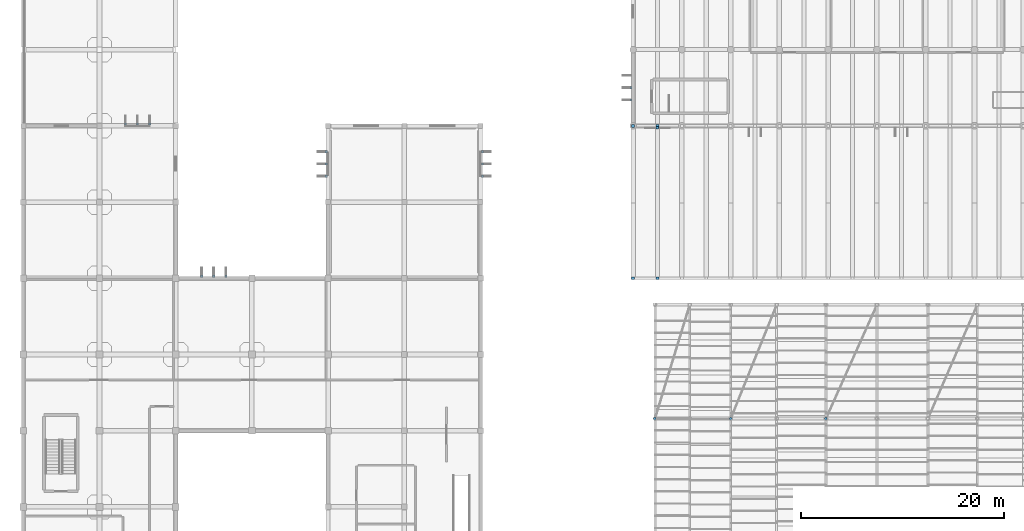
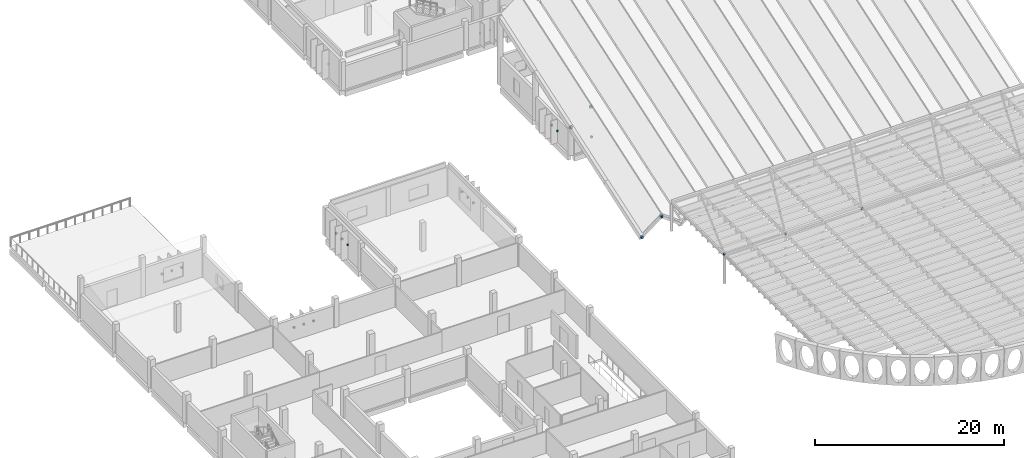
# One storey, part 34 of 47: 22 discrete accessories.
"""IFC4 building model written with IfcOpenShell, lengths in metres."""

import ifcopenshell
import ifcopenshell.guid

model = None  # the IFC model being written
_history = None  # IfcOwnerHistory: only IFC2X3 demands one
_inside = {}  # id of a spatial element -> (the spatial element, [elements in it])
_under = {}  # id of a project, library or spatial element -> (it, [spatial elements below it])
_declared = {}  # id of a project -> (the project, [libraries it declares])
_typed = {}  # id of a type object -> (the type object, [elements of that type])
_made_of = {}  # id of a material, layer set ... -> (it, [elements and type objects made of it])


def new_model(schema):
    """Start an empty IFC model of exactly this schema.

    Asked for "IFC4X3", IfcOpenShell would pick the latest addendum, in which some entities
    have other attributes; the version numbers below select the first issue.
    IFC2X3 requires an IfcOwnerHistory on every rooted entity: one is made here for all.
    """
    global model, _history
    if schema == "IFC4X3":
        model = ifcopenshell.file(schema_version=(4, 3, 0, 0))
    else:
        model = ifcopenshell.file(schema=schema)
    _inside.clear()
    _under.clear()
    _declared.clear()
    _typed.clear()
    _made_of.clear()
    _history = None
    if model.schema == "IFC2X3":
        org = make("IfcOrganization", Name="unknown")
        user = make(
            "IfcPersonAndOrganization",
            ThePerson=make("IfcPerson", FamilyName="unknown"),
            TheOrganization=org,
        )
        app = make(
            "IfcApplication",
            ApplicationDeveloper=org,
            Version="unknown",
            ApplicationFullName="unknown",
            ApplicationIdentifier="unknown",
        )
        _history = make(
            "IfcOwnerHistory",
            OwningUser=user,
            OwningApplication=app,
            ChangeAction="ADDED",
            CreationDate=0,
        )
    return model


def make(cls, **values):
    """One entity of the class cls with the attributes given. An attribute that is None is left unset."""
    return model.create_entity(
        cls, **{name: value for name, value in values.items() if value is not None}
    )


def rooted(cls, **values):
    """An entity with a GlobalId (a new one), such as an element, a storey or a relation."""
    return make(cls, GlobalId=ifcopenshell.guid.new(), OwnerHistory=_history, **values)


def si_unit(unit_type, name, prefix=None):
    """IfcSIUnit, for example si_unit("LENGTHUNIT", "METRE", prefix="MILLI")."""
    return make("IfcSIUnit", UnitType=unit_type, Prefix=prefix, Name=name)


def assignment(units):
    """IfcUnitAssignment: the units of a project."""
    return None if units is None else make("IfcUnitAssignment", Units=units)


def point(xyz):
    """IfcCartesianPoint."""
    return None if xyz is None else make("IfcCartesianPoint", Coordinates=xyz)


def direction(xyz):
    """IfcDirection."""
    return None if xyz is None else make("IfcDirection", DirectionRatios=xyz)


def frame(location, z_axis=None, x_axis=None):
    """IfcAxis2Placement3D, a coordinate frame: its origin and axes. An axis left out is left unset."""
    return make(
        "IfcAxis2Placement3D",
        Location=point(location),
        Axis=direction(z_axis),
        RefDirection=direction(x_axis),
    )


def frame_2d(location, x_axis=None):
    """IfcAxis2Placement2D, a coordinate frame in the plane: its origin and x axis."""
    return make(
        "IfcAxis2Placement2D", Location=point(location), RefDirection=direction(x_axis)
    )


def origin():
    """The frame at (0, 0, 0) with its axes left unset."""
    return frame((0.0, 0.0, 0.0))


def origin_2d():
    """The frame at (0, 0) in the plane with its x axis left unset."""
    return frame_2d((0.0, 0.0))


def place(relative_to, where):
    """IfcLocalPlacement: puts the frame where relative to a parent placement (None: the world)."""
    return make(
        "IfcLocalPlacement", PlacementRelTo=relative_to, RelativePlacement=where
    )


def context(
    kind, dimensions, precision=None, world=None, true_north=None, identifier=None
):
    """IfcGeometricRepresentationContext, for example the 3D "Model" context."""
    return make(
        "IfcGeometricRepresentationContext",
        ContextIdentifier=identifier,
        ContextType=kind,
        CoordinateSpaceDimension=dimensions,
        Precision=precision,
        WorldCoordinateSystem=world,
        TrueNorth=true_north,
    )


def subcontext(parent, identifier, kind, view, scale=None):
    """IfcGeometricRepresentationSubContext, for example "Body" below "Model"."""
    return make(
        "IfcGeometricRepresentationSubContext",
        ContextIdentifier=identifier,
        ContextType=kind,
        ParentContext=parent,
        TargetScale=scale,
        TargetView=view,
    )


def project(units=None, contexts=None):
    """IfcProject with its units and contexts."""
    return rooted(
        "IfcProject",
        Name="project",
        RepresentationContexts=contexts,
        UnitsInContext=assignment(units),
    )


def spatial(cls, under=None, at=None, **own):
    """A site, building, storey or space (cls), placed at a placement, below another one or the project."""
    s = rooted(cls, ObjectPlacement=at, **own)
    if under is not None:
        _under.setdefault(under.id(), (under, []))[1].append(s)
    return s


def profile(cls, at=None, kind="AREA", **sizes):
    """A parametric profile (cls). Its sizes go by their IFC names, for example OverallWidth=200.0."""
    return make(cls, ProfileType=kind, Position=at, **sizes)


def rectangle(**sizes):
    """IfcRectangleProfileDef."""
    return profile("IfcRectangleProfileDef", **sizes)


def extrude(swept, where, along, depth):
    """IfcExtrudedAreaSolid: the profile swept, set in the frame where, extruded along a direction by depth."""
    return make(
        "IfcExtrudedAreaSolid",
        SweptArea=swept,
        Position=where,
        ExtrudedDirection=direction(along),
        Depth=depth,
    )


def shape(context_of_items, identifier, shape_type, items):
    """IfcShapeRepresentation: the items that make up one representation, for example the "Body"."""
    return make(
        "IfcShapeRepresentation",
        ContextOfItems=context_of_items,
        RepresentationIdentifier=identifier,
        RepresentationType=shape_type,
        Items=items,
    )


def material(Name=None, Category=None):
    """IfcMaterial."""
    return make("IfcMaterial", Name=Name, Category=Category)


def layer(
    of_material, thickness, ventilated=None, Name=None, Category=None, Priority=None
):
    """IfcMaterialLayer: one layer of a wall or slab, of a material (None: an air gap)."""
    return make(
        "IfcMaterialLayer",
        Material=of_material,
        LayerThickness=thickness,
        IsVentilated=ventilated,
        Name=Name,
        Category=Category,
        Priority=Priority,
    )


def layer_set(layers, Name=None):
    """IfcMaterialLayerSet."""
    return make("IfcMaterialLayerSet", MaterialLayers=layers, LayerSetName=Name)


def made_of(thing, what):
    """Note that an element or type object is made of a material, layer set ...; save() writes the relation."""
    if what is not None:
        _made_of.setdefault(what.id(), (what, []))[1].append(thing)
    return thing


def type_object(cls, material=None, **own):
    """A type object (cls), such as IfcWallType, which elements share."""
    return made_of(rooted(cls, **own), material)


def element(
    cls,
    number,
    at=None,
    inside=None,
    cuts=None,
    type_object=None,
    material=None,
    context=None,
    identifier="Body",
    shape_type=None,
    held_by="IfcProductDefinitionShape",
    body=None,
    shapes=None,
    **own,
):
    """One element of the class cls, such as IfcWall. Its Tag is "e" and its number.

    at: its placement. inside: the storey or other place that contains it. cuts: it is an
    opening in that element (IfcRelVoidsElement). A single representation is given by context,
    identifier, shape_type and body (its items); several are given by shapes. held_by: the class
    of the entity that holds the representations. save() writes the other relations.
    """
    e = rooted(cls, Tag="e%d" % number, ObjectPlacement=at, **own)
    if body is not None:
        shapes = [shape(context, identifier, shape_type, body)]
    if shapes is not None:
        e.Representation = make(held_by, Representations=shapes)
    if inside is not None:
        _inside.setdefault(inside.id(), (inside, []))[1].append(e)
    if cuts is not None:
        rooted(
            "IfcRelVoidsElement", RelatingBuildingElement=cuts, RelatedOpeningElement=e
        )
    if type_object is not None:
        _typed.setdefault(type_object.id(), (type_object, []))[1].append(e)
    return made_of(e, material)


def aggregate(whole, parts):
    """IfcRelAggregates: a whole, such as a stair, and the parts it consists of."""
    return rooted("IfcRelAggregates", RelatingObject=whole, RelatedObjects=parts)


def save(model, path):
    """Write the relations noted so far, then the file.

    IfcRelAggregates (storeys below a building ...), IfcRelContainedInSpatialStructure (elements
    in a storey), IfcRelDefinesByType, IfcRelAssociatesMaterial and IfcRelDeclares: one each for
    every whole, place, type object, material and project.
    """
    for whole, parts in _under.values():
        aggregate(whole, parts)
    for where, things in _inside.values():
        rooted(
            "IfcRelContainedInSpatialStructure",
            RelatedElements=things,
            RelatingStructure=where,
        )
    for kind, things in _typed.values():
        rooted("IfcRelDefinesByType", RelatedObjects=things, RelatingType=kind)
    for what, things in _made_of.values():
        rooted("IfcRelAssociatesMaterial", RelatedObjects=things, RelatingMaterial=what)
    for by, libraries in _declared.values():
        rooted("IfcRelDeclares", RelatingContext=by, RelatedDefinitions=libraries)
    model.write(path)


model = new_model("IFC4")

# Units and contexts
model_context = context("Model", 3, precision=1e-05, world=origin(), true_north=direction((0.0, 1.0)))
body_context = subcontext(model_context, "Body", "Model", "MODEL_VIEW")
ifc_project = project(units=[si_unit("LENGTHUNIT", "METRE"), si_unit("AREAUNIT", "SQUARE_METRE"), si_unit("VOLUMEUNIT", "CUBIC_METRE"), si_unit("PLANEANGLEUNIT", "RADIAN"), si_unit("MASSUNIT", "GRAM", prefix="KILO")], contexts=[model_context])

# Site, building, storey
site_placement = place(None, origin())
site = spatial("IfcSite", under=ifc_project, at=site_placement, CompositionType="ELEMENT")
building_placement = place(site_placement, origin())
building = spatial("IfcBuilding", under=site, at=building_placement, Name="Mawjan Specialist Oncology Clinic", CompositionType="ELEMENT")
storey_placement = place(building_placement, frame((0.0, 0.0, 9.5)))
storey = spatial("IfcBuildingStorey", under=building, at=storey_placement, Name="L02", CompositionType="ELEMENT", Elevation=9.5)

# Discrete accessories
ifc_material = material(Name="Structural steel S355", Category="steel")
ifc_layer = layer(ifc_material, 0.219970703125, Name="Structural steel S355", Category="steel")
ifc_layer_set = layer_set([ifc_layer], Name="Structural steel S355")
discrete_accessory_type = type_object("IfcDiscreteAccessoryType", Name="BRK-S355", PredefinedType="BRACKET", material=ifc_layer_set)
for number, where, z_axis, x_axis, name in (
    (1, (60.0, 45.800048828125, -1.7998046875), (0.0, 0.0, 1.0), (1.0, 0.0, 0.0), "Strut End Gusset Connection Plate 9"),
    (2, (62.39990234375, 45.800048828125, 0.0400390625), (0.0, 0.0, 1.0), (1.0, 0.0, 0.0), "Strut End Gusset Connection Plate 10"),
    (3, (60.0, 60.800048828125, 3.2998046875), (0.0, 0.0, 1.0), (1.0, 0.0, 0.0), "Strut End Gusset Connection Plate 12"),
    (4, (62.39990234375, 60.800048828125, 5.14013671875), (0.0, 0.0, 1.0), (1.0, 0.0, 0.0), "Strut End Gusset Connection Plate 13"),
):
    element("IfcDiscreteAccessory", number, at=place(storey_placement, frame(where, z_axis=z_axis, x_axis=x_axis)), inside=storey, type_object=discrete_accessory_type, Name=name, PredefinedType="BRACKET", context=body_context, shape_type="SweptSolid", body=[
        extrude(rectangle(XDim=0.280029296875, YDim=0.280029296875, at=origin_2d()), origin(), (0.0, 0.0, 1.0), 0.280029296875),
    ])
for number, where, z_axis, x_axis, name in (
    (5, (62.152587890625, 32.0, 3.6748046875), (0.0, 0.0, 1.0), (1.0, 0.0, 0.0), "Brace End Gusset Connection Plate 72"),
    (6, (69.611328125, 32.0, 3.6748046875), (0.0, 0.0, 1.0), (1.0, 0.0, 0.0), "Brace End Gusset Connection Plate 74"),
    (7, (78.981689453125, 32.0, 3.6748046875), (0.0, 0.0, 1.0), (1.0, 0.0, 0.0), "Brace End Gusset Connection Plate 76"),
):
    element("IfcDiscreteAccessory", number, at=place(storey_placement, frame(where, z_axis=z_axis, x_axis=x_axis)), inside=storey, type_object=discrete_accessory_type, Name=name, PredefinedType="BRACKET", context=body_context, shape_type="SweptSolid", body=[
        extrude(rectangle(XDim=0.239990234375, YDim=0.239990234375, at=origin_2d()), origin(), (0.0, 0.0, 1.0), 0.199951171875),
    ])
for number, where, z_axis, x_axis, name in (
    (8, (17.550048828125, 45.9951171875, 1.28271484375), (0.0, 0.0, 1.0), (1.0, 0.0, 0.0), "Solar Fin Mounting Bracket 23"),
    (9, (18.75, 45.9951171875, 1.28271484375), (0.0, 0.0, 1.0), (1.0, 0.0, 0.0), "Solar Fin Mounting Bracket 24"),
    (10, (19.949951171875, 45.9951171875, 1.28271484375), (0.0, 0.0, 1.0), (1.0, 0.0, 0.0), "Solar Fin Mounting Bracket 25"),
    (11, (29.804931640625, 55.85009765625, 1.740234375), (0.0, 0.0, 1.0), (0.0, 1.0, 0.0), "Solar Fin Mounting Bracket 26"),
    (12, (29.804931640625, 57.050048828125, 1.740234375), (0.0, 0.0, 1.0), (0.0, 1.0, 0.0), "Solar Fin Mounting Bracket 27"),
    (13, (29.804931640625, 58.25, 1.740234375), (0.0, 0.0, 1.0), (0.0, 1.0, 0.0), "Solar Fin Mounting Bracket 28"),
    (14, (45.195068359375, 58.25, 1.740234375), (0.0, 0.0, 1.0), (0.0, -1.0, 0.0), "Solar Fin Mounting Bracket 29"),
    (15, (45.195068359375, 57.050048828125, 1.740234375), (0.0, 0.0, 1.0), (0.0, -1.0, 0.0), "Solar Fin Mounting Bracket 30"),
    (16, (45.195068359375, 55.85009765625, 1.740234375), (0.0, 0.0, 1.0), (0.0, -1.0, 0.0), "Solar Fin Mounting Bracket 31"),
    (17, (10.050048828125, 60.9951171875, 1.72509765625), (0.0, 0.0, 1.0), (1.0, 0.0, 0.0), "Solar Fin Mounting Bracket 32"),
    (18, (11.25, 60.9951171875, 1.72509765625), (0.0, 0.0, 1.0), (1.0, 0.0, 0.0), "Solar Fin Mounting Bracket 33"),
    (19, (12.449951171875, 60.9951171875, 1.72509765625), (0.0, 0.0, 1.0), (1.0, 0.0, 0.0), "Solar Fin Mounting Bracket 34"),
):
    element("IfcDiscreteAccessory", number, at=place(storey_placement, frame(where, z_axis=z_axis, x_axis=x_axis)), inside=storey, type_object=discrete_accessory_type, Name=name, PredefinedType="BRACKET", context=body_context, shape_type="SweptSolid", body=[
        extrude(rectangle(XDim=0.219970703125, YDim=0.219970703125, at=origin_2d()), origin(), (0.0, 0.0, 1.0), 0.219970703125),
    ])
discrete_accessory_placement = place(storey_placement, frame((62.39990234375, 60.60498046875, 1.38720703125), z_axis=(0.0, 0.0, 1.0), x_axis=(-1.0, 0.0, 0.0)))
element("IfcDiscreteAccessory", 20, at=discrete_accessory_placement, inside=storey, type_object=discrete_accessory_type, Name="Rawshan Screen Mounting Bracket 61", PredefinedType="BRACKET", context=body_context, shape_type="SweptSolid", body=[
    extrude(rectangle(XDim=0.239990234375, YDim=0.239990234375, at=origin_2d()), origin(), (0.0, 0.0, 1.0), 0.219970703125),
])
for number, where, z_axis, x_axis, name in (
    (21, (59.804931640625, 63.35009765625, 1.4189453125), (0.0, 0.0, 1.0), (0.0, 1.0, 0.0), "Solar Fin Mounting Bracket 62"),
    (22, (59.804931640625, 64.550048828125, 1.4189453125), (0.0, 0.0, 1.0), (0.0, 1.0, 0.0), "Solar Fin Mounting Bracket 63"),
):
    element("IfcDiscreteAccessory", number, at=place(storey_placement, frame(where, z_axis=z_axis, x_axis=x_axis)), inside=storey, type_object=discrete_accessory_type, Name=name, PredefinedType="BRACKET", context=body_context, shape_type="SweptSolid", body=[
        extrude(rectangle(XDim=0.219970703125, YDim=0.219970703125, at=origin_2d()), origin(), (0.0, 0.0, 1.0), 0.219970703125),
    ])

save(model, "model.ifc")
